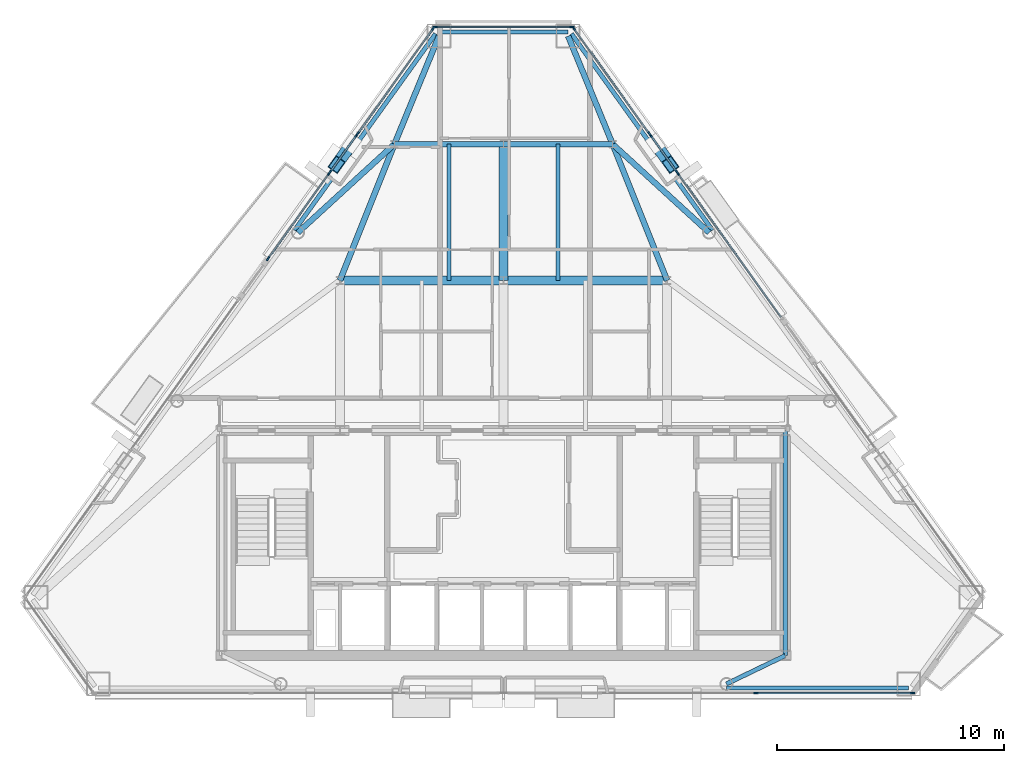
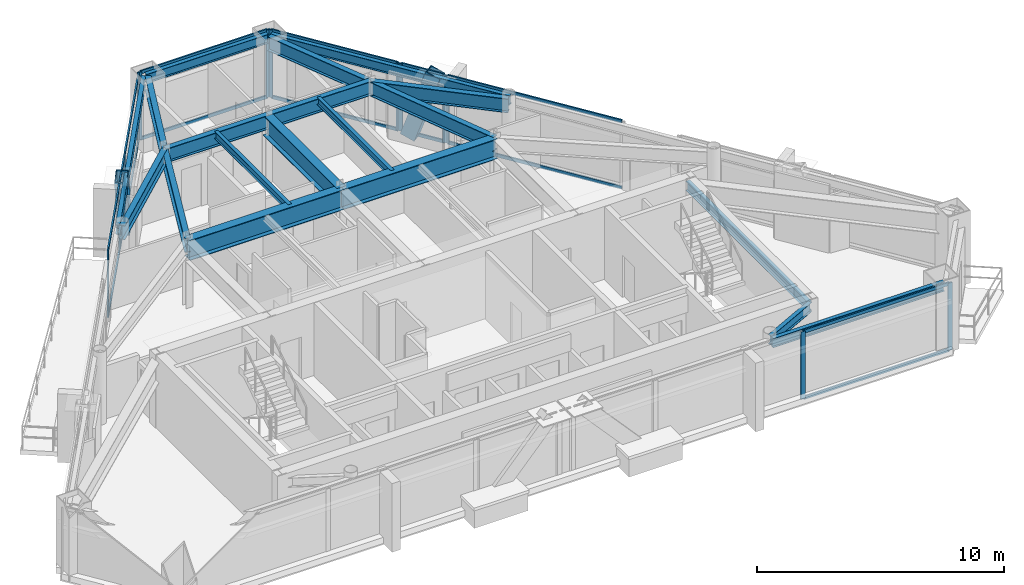
# One storey, part 4 of 12: 33 members, 19 beams, 8 elements without a shape of their own.
"""IFC4 building model written with IfcOpenShell, lengths in metres."""

from ifc_helpers import new_model, si_unit, direction, frame, origin, origin_2d, place, context, subcontext, project, spatial, rectangle, hollow_rectangle, i_section, extrude, material, layer, layer_set, material_profile, profile_set, type_object, element, aggregate, save


model = new_model("IFC4")

# Units and contexts
model_context = context("Model", 3, precision=1e-05, world=origin(), true_north=direction((0.0, 1.0)))
body_context = subcontext(model_context, "Body", "Model", "MODEL_VIEW")
ifc_project = project(units=[si_unit("LENGTHUNIT", "METRE"), si_unit("AREAUNIT", "SQUARE_METRE"), si_unit("VOLUMEUNIT", "CUBIC_METRE"), si_unit("PLANEANGLEUNIT", "RADIAN"), si_unit("MASSUNIT", "GRAM", prefix="KILO")], contexts=[model_context])

# Site, building, storey
site_placement = place(None, origin())
site = spatial("IfcSite", under=ifc_project, at=site_placement, CompositionType="ELEMENT")
building_placement = place(site_placement, origin())
building = spatial("IfcBuilding", under=site, at=building_placement, Name="Talgorran Terracotta Tower", CompositionType="ELEMENT")
storey_placement = place(building_placement, frame((0.0, 0.0, 221.699951171875)))
storey = spatial("IfcBuildingStorey", under=building, at=storey_placement, Name="L58", CompositionType="ELEMENT", Elevation=221.699951171875)

# Beams
ifc_material_1 = material(Name="Steel Grade 350 (350L0)", Category="steel")
ifc_material_profile_1 = material_profile(ifc_material_1, i_section(OverallWidth=0.39990234375, OverallDepth=1.0, WebThickness=0.01611328125, FlangeThickness=0.031005859375, at=origin_2d()), Name="1000WB296")
ifc_profile_set_1 = profile_set([ifc_material_profile_1], Name="Steel Grade 350 (350L0)")
beam_type_1 = type_object("IfcBeamType", Name="BM_1000WB296", PredefinedType="BEAM", material=ifc_profile_set_1)
for number, where, z_axis, x_axis, name in (
    (1, (-7.199951171875, 2.39990234375, 2.844970703125), (1.0, 0.0, 0.0), (0.0, 1.0, 0.0), "L58 Floor Girder G04"),
    (2, (0.0, 2.39990234375, 2.844970703125), (1.0, 0.0, 0.0), (0.0, 1.0, 0.0), "L58 Floor Girder G05"),
):
    element("IfcBeam", number, at=place(storey_placement, frame(where, z_axis=z_axis, x_axis=x_axis)), inside=storey, type_object=beam_type_1, Name=name, PredefinedType="BEAM", context=body_context, shape_type="SweptSolid", body=[
        extrude(i_section(OverallWidth=0.39990234375, OverallDepth=1.0, WebThickness=0.01611328125, FlangeThickness=0.031005859375, at=origin_2d()), origin(), (0.0, 0.0, 1.0), 7.199951171875),
    ])
beam_1_placement = place(storey_placement, frame((0.0, 2.39990234375, 2.844970703125), z_axis=(0.0, 1.0, 0.0), x_axis=(-1.0, 0.0, 0.0)))
element("IfcBeam", 3, at=beam_1_placement, inside=storey, type_object=beam_type_1, Name="L58 Floor Girder G09", PredefinedType="BEAM", context=body_context, shape_type="SweptSolid", body=[
    extrude(i_section(OverallWidth=0.39990234375, OverallDepth=1.0, WebThickness=0.01611328125, FlangeThickness=0.031005859375, at=origin_2d()), origin(), (0.0, 0.0, 1.0), 6.0),
])
ifc_material_2 = material(Name="Steel S355 (300PLUS)", Category="steel")
ifc_material_profile_2 = material_profile(ifc_material_2, i_section(OverallWidth=0.25, OverallDepth=0.699951171875, WebThickness=0.011962890625, FlangeThickness=0.02392578125, at=origin_2d()), Name="700WB150")
ifc_profile_set_2 = profile_set([ifc_material_profile_2], Name="Steel S355 (300PLUS)")
beam_type_2 = type_object("IfcBeamType", Name="BM_700WB150", PredefinedType="BEAM", material=ifc_profile_set_2)
for number, where, z_axis, x_axis, name in (
    (4, (-7.199951171875, 2.39990234375, 2.9951171875), (0.371377648723, 0.928481901832, 0.0), (-0.928481901832, 0.371377648723, 0.0), "L58 Floor Girder G08"),
    (5, (7.199951171875, 2.39990234375, 2.9951171875), (-0.371377648723, 0.928481901832, 0.0), (-0.928481901832, -0.371377648723, 0.0), "L58 Floor Girder G10"),
):
    element("IfcBeam", number, at=place(storey_placement, frame(where, z_axis=z_axis, x_axis=x_axis)), inside=storey, type_object=beam_type_2, Name=name, PredefinedType="BEAM", context=body_context, shape_type="SweptSolid", body=[
        extrude(i_section(OverallWidth=0.25, OverallDepth=0.699951171875, WebThickness=0.011962890625, FlangeThickness=0.02392578125, at=origin_2d()), origin(), (0.0, 0.0, 1.0), 6.462158203125),
    ])
for number, where, z_axis, x_axis, name in (
    (6, (-4.800048828125, 8.39990234375, 2.9951171875), (1.0, 0.0, 0.0), (0.0, 1.0, 0.0), "L58 Floor Girder G11"),
    (7, (0.0, 8.39990234375, 2.9951171875), (1.0, 0.0, 0.0), (0.0, 1.0, 0.0), "L58 Floor Girder G12"),
):
    element("IfcBeam", number, at=place(storey_placement, frame(where, z_axis=z_axis, x_axis=x_axis)), inside=storey, type_object=beam_type_2, Name=name, PredefinedType="BEAM", context=body_context, shape_type="SweptSolid", body=[
        extrude(i_section(OverallWidth=0.25, OverallDepth=0.699951171875, WebThickness=0.011962890625, FlangeThickness=0.02392578125, at=origin_2d()), origin(), (0.0, 0.0, 1.0), 4.800048828125),
    ])
for number, where, z_axis, x_axis, name in (
    (8, (-4.800048828125, 8.39990234375, 2.9951171875), (-0.737419827565, -0.675434673313, 0.0), (0.675434673313, -0.737419827565, 0.0), "L58 Floor Girder G13"),
    (9, (4.800048828125, 8.39990234375, 2.9951171875), (0.737419827565, -0.675434673313, 0.0), (0.675434673313, 0.737419827565, 0.0), "L58 Floor Girder G14"),
):
    element("IfcBeam", number, at=place(storey_placement, frame(where, z_axis=z_axis, x_axis=x_axis)), inside=storey, type_object=beam_type_2, Name=name, PredefinedType="BEAM", context=body_context, shape_type="SweptSolid", body=[
        extrude(i_section(OverallWidth=0.25, OverallDepth=0.699951171875, WebThickness=0.011962890625, FlangeThickness=0.02392578125, at=origin_2d()), origin(), (0.0, 0.0, 1.0), 5.75830078125),
    ])
for number, where, z_axis, x_axis, name in (
    (10, (-4.800048828125, 8.39990234375, 2.9951171875), (0.380723528032, 0.924688918071, 0.0), (-0.924688918071, 0.380723528032, 0.0), "L58 Floor Girder G15"),
    (11, (4.800048828125, 8.39990234375, 2.9951171875), (-0.380723528032, 0.924688918071, 0.0), (-0.924688918071, -0.380723528032, 0.0), "L58 Floor Girder G16"),
):
    element("IfcBeam", number, at=place(storey_placement, frame(where, z_axis=z_axis, x_axis=x_axis)), inside=storey, type_object=beam_type_2, Name=name, PredefinedType="BEAM", context=body_context, shape_type="SweptSolid", body=[
        extrude(i_section(OverallWidth=0.25, OverallDepth=0.699951171875, WebThickness=0.011962890625, FlangeThickness=0.02392578125, at=origin_2d()), origin(), (0.0, 0.0, 1.0), 5.140380859375),
    ])
ifc_material_profile_3 = material_profile(ifc_material_2, i_section(OverallWidth=0.17138671875, OverallDepth=0.355712890625, WebThickness=0.00732421875, FlangeThickness=0.011474609375, at=origin_2d()), Name="360UB50.7")
ifc_profile_set_3 = profile_set([ifc_material_profile_3], Name="Steel S355 (300PLUS)")
beam_type_3 = type_object("IfcBeamType", Name="BM_JS_360UB51", PredefinedType="JOIST", material=ifc_profile_set_3)
for number, where, z_axis, x_axis, name in (
    (12, (-2.39990234375, 2.39990234375, 3.167236328125), (0.0, 1.0, 0.0), (-1.0, 0.0, 0.0), "L58 Secondary Joist J03"),
    (13, (2.39990234375, 2.39990234375, 3.167236328125), (0.0, 1.0, 0.0), (-1.0, 0.0, 0.0), "L58 Secondary Joist J04"),
):
    element("IfcBeam", number, at=place(storey_placement, frame(where, z_axis=z_axis, x_axis=x_axis)), inside=storey, type_object=beam_type_3, Name=name, PredefinedType="JOIST", context=body_context, shape_type="SweptSolid", body=[
        extrude(i_section(OverallWidth=0.17138671875, OverallDepth=0.355712890625, WebThickness=0.00732421875, FlangeThickness=0.011474609375, at=origin_2d()), origin(), (0.0, 0.0, 1.0), 6.0),
    ])
ifc_material_profile_4 = material_profile(ifc_material_2, i_section(OverallWidth=0.18994140625, OverallDepth=0.45703125, WebThickness=0.009033203125, FlangeThickness=0.014404296875, at=origin_2d()), Name="460UB74.6")
ifc_profile_set_4 = profile_set([ifc_material_profile_4], Name="Steel S355 (300PLUS)")
beam_type_4 = type_object("IfcBeamType", Name="BM_SP_460UB74", PredefinedType="SPANDREL", material=ifc_profile_set_4)
beam_2_placement = place(storey_placement, frame((9.806640625, -15.5322265625, 3.116455078125), z_axis=(1.0, 0.0, 0.0), x_axis=(0.0, 1.0, 0.0)))
element("IfcBeam", 14, at=beam_2_placement, inside=storey, type_object=beam_type_4, Name="L58 Perimeter Spandrel Beam FC2-MC3", PredefinedType="SPANDREL", context=body_context, shape_type="SweptSolid", body=[
    extrude(i_section(OverallWidth=0.18994140625, OverallDepth=0.45703125, WebThickness=0.009033203125, FlangeThickness=0.014404296875, at=origin_2d()), origin(), (0.0, 0.0, 1.0), 8.0234375),
])
beam_3_placement = place(storey_placement, frame((9.192626953125, 4.615478515625, 3.116455078125), z_axis=(-0.583110094649, 0.812393142216, 0.0), x_axis=(-0.812393142216, -0.583110094649, 0.0)))
element("IfcBeam", 15, at=beam_3_placement, inside=storey, type_object=beam_type_4, Name="L58 Perimeter Spandrel Beam FC4-MC5", PredefinedType="SPANDREL", context=body_context, shape_type="SweptSolid", body=[
    extrude(i_section(OverallWidth=0.18994140625, OverallDepth=0.45703125, WebThickness=0.009033203125, FlangeThickness=0.014404296875, at=origin_2d()), origin(), (0.0, 0.0, 1.0), 10.638427734375),
])
beam_4_placement = place(storey_placement, frame((2.843017578125, 13.3330078125, 3.116455078125), z_axis=(-1.0, 0.0, 0.0), x_axis=(0.0, -1.0, 0.0)))
element("IfcBeam", 16, at=beam_4_placement, inside=storey, type_object=beam_type_4, Name="L58 Perimeter Spandrel Beam MC5-MC6", PredefinedType="SPANDREL", context=body_context, shape_type="SweptSolid", body=[
    extrude(i_section(OverallWidth=0.18994140625, OverallDepth=0.45703125, WebThickness=0.009033203125, FlangeThickness=0.014404296875, at=origin_2d()), origin(), (0.0, 0.0, 1.0), 5.68603515625),
])
beam_5_placement = place(storey_placement, frame((-2.9892578125, 13.258056640625, 3.116455078125), z_axis=(-0.583110094649, -0.812393142216, 0.0), x_axis=(0.812393142216, -0.583110094649, 0.0)))
element("IfcBeam", 17, at=beam_5_placement, inside=storey, type_object=beam_type_4, Name="L58 Perimeter Spandrel Beam MC6-FC5", PredefinedType="SPANDREL", context=body_context, shape_type="SweptSolid", body=[
    extrude(i_section(OverallWidth=0.18994140625, OverallDepth=0.45703125, WebThickness=0.009033203125, FlangeThickness=0.014404296875, at=origin_2d()), origin(), (0.0, 0.0, 1.0), 10.638427734375),
])
beam_6_placement = place(storey_placement, frame((12.39990234375, -14.10009765625, 3.116455078125), z_axis=(-0.900513862936, -0.434827302109, 0.0), x_axis=(0.434827302109, -0.900513862936, 0.0)))
element("IfcBeam", 18, at=beam_6_placement, inside=storey, type_object=beam_type_4, Name="L58 South-East Core Tie Beam", PredefinedType="SPANDREL", context=body_context, shape_type="SweptSolid", body=[
    extrude(i_section(OverallWidth=0.18994140625, OverallDepth=0.45703125, WebThickness=0.009033203125, FlangeThickness=0.014404296875, at=origin_2d()), origin(), (0.0, 0.0, 1.0), 2.879638671875),
])
beam_7_placement = place(storey_placement, frame((12.39990234375, -14.10009765625, 3.116455078125), z_axis=(0.0, 1.0, 0.0), x_axis=(-1.0, 0.0, 0.0)))
element("IfcBeam", 19, at=beam_7_placement, inside=storey, type_object=beam_type_4, Name="L58 Core Frame Beam CFE", PredefinedType="SPANDREL", context=body_context, shape_type="SweptSolid", body=[
    extrude(i_section(OverallWidth=0.18994140625, OverallDepth=0.45703125, WebThickness=0.009033203125, FlangeThickness=0.014404296875, at=origin_2d()), origin(), (0.0, 0.0, 1.0), 9.900146484375),
])

# Members
ifc_material_profile_5 = material_profile(ifc_material_1, hollow_rectangle(XDim=0.52001953125, YDim=0.659912109375, WallThickness=0.034912109375, at=origin_2d()), Name="WBOX660X520X35")
ifc_profile_set_5 = profile_set([ifc_material_profile_5], Name="Steel Grade 350 (350L0)")
member_type_1 = type_object("IfcMemberType", Name="MB_MEGA_660", PredefinedType="BRACE", material=ifc_profile_set_5)
for number, where, z_axis, x_axis, name in (
    (20, (6.67822265625, 8.42724609375, -0.02490234375), (0.185751866834, -0.258757462936, 0.947913930345), (0.812357527151, 0.583159710613, 0.0), "L58 Exterior Face Mega-Brace MB-3 (NEU)"),
    (21, (-6.67822265625, 8.42724609375, -0.02490234375), (-0.185751866834, -0.258757462936, 0.947913930345), (0.812357527151, -0.583159710613, 0.0), "L58 Exterior Face Mega-Brace MB-3 (NWU)"),
):
    element("IfcMember", number, at=place(storey_placement, frame(where, z_axis=z_axis, x_axis=x_axis)), inside=storey, type_object=member_type_1, Name=name, PredefinedType="BRACE", context=body_context, shape_type="SweptSolid", body=[
        extrude(hollow_rectangle(XDim=0.52001953125, YDim=0.659912109375, WallThickness=0.034912109375, at=origin_2d()), origin(), (0.0, 0.0, 1.0), 3.58154296875),
    ])

# Curtain wall, members
ifc_material_3 = material(Name="High-Wind Unitised Glazing", Category="glass")
ifc_layer = layer(ifc_material_3, 0.2099609375, Name="CW_SYS3_RES_HIGH")
ifc_layer_set = layer_set([ifc_layer], Name="High-Wind Unitised Glazing")
curtain_wall_type = type_object("IfcCurtainWallType", Name="CW_SYS3_RES_HIGH", PredefinedType="NOTDEFINED", material=ifc_layer_set)
curtain_wall_1_placement = place(storey_placement, origin())
curtain_wall_1 = element("IfcCurtainWall", 22, at=curtain_wall_1_placement, inside=storey, type_object=curtain_wall_type, Name="CW-L58-F1E", PredefinedType="NOTDEFINED")
ifc_material_4 = material(Name="Architectural Aluminium 6063-T6", Category="aluminium")
ifc_material_profile_6 = material_profile(ifc_material_4, rectangle(XDim=0.070068359375, YDim=0.199951171875, at=origin_2d()), Name="CWM70X200")
ifc_profile_set_6 = profile_set([ifc_material_profile_6], Name="Architectural Aluminium 6063-T6")
member_type_2 = type_object("IfcMemberType", Name="MUL_70X200", PredefinedType="MULLION", material=ifc_profile_set_6)
member_1_placement = place(storey_placement, frame((11.109130859375, -15.752197265625, 0.0), z_axis=(0.0, 0.0, 1.0), x_axis=(0.0, 1.0, 0.0)))
member_1 = element("IfcMember", 23, at=member_1_placement, type_object=member_type_2, Name="CW-L58-1E mullion 2", PredefinedType="MULLION", context=body_context, shape_type="SweptSolid", body=[
    extrude(rectangle(XDim=0.070068359375, YDim=0.199951171875, at=origin_2d()), origin(), (0.0, 0.0, 1.0), 3.344970703125),
])
member_2_placement = place(storey_placement, frame((18.00048828125, -15.752197265625, 0.0), z_axis=(0.0, 0.0, 1.0), x_axis=(0.0, 1.0, 0.0)))
member_2 = element("IfcMember", 24, at=member_2_placement, type_object=member_type_2, Name="CW-L58-1E mullion 3", PredefinedType="MULLION", context=body_context, shape_type="SweptSolid", body=[
    extrude(rectangle(XDim=0.070068359375, YDim=0.199951171875, at=origin_2d()), origin(), (0.0, 0.0, 1.0), 3.344970703125),
])

# Curtain wall, member
curtain_wall_2_placement = place(storey_placement, origin())
curtain_wall_2 = element("IfcCurtainWall", 25, at=curtain_wall_2_placement, inside=storey, type_object=curtain_wall_type, Name="CW-L58-F41", PredefinedType="NOTDEFINED")
member_3_placement = place(storey_placement, frame((7.669189453125, 7.115234375, 0.0), z_axis=(0.0, 0.0, 1.0), x_axis=(-0.812388436994, -0.583116649942, 0.0)))
member_3 = element("IfcMember", 26, at=member_3_placement, type_object=member_type_2, Name="CW-L58-41 mullion 2", PredefinedType="MULLION", context=body_context, shape_type="SweptSolid", body=[
    extrude(rectangle(XDim=0.070068359375, YDim=0.199951171875, at=origin_2d()), origin(), (0.0, 0.0, 1.0), 3.344970703125),
])

# Curtain wall, members
curtain_wall_3_placement = place(storey_placement, origin())
curtain_wall_3 = element("IfcCurtainWall", 27, at=curtain_wall_3_placement, inside=storey, type_object=curtain_wall_type, Name="CW-L58-F41B", PredefinedType="NOTDEFINED")
member_4_placement = place(storey_placement, frame((7.62255859375, 7.18017578125, 0.0), z_axis=(0.0, 0.0, 1.0), x_axis=(-0.812387522114, -0.583117924535, 0.0)))
member_4 = element("IfcMember", 28, at=member_4_placement, type_object=member_type_2, Name="CW-L58-41B mullion 1", PredefinedType="MULLION", context=body_context, shape_type="SweptSolid", body=[
    extrude(rectangle(XDim=0.070068359375, YDim=0.199951171875, at=origin_2d()), origin(), (0.0, 0.0, 1.0), 3.344970703125),
])
member_5_placement = place(storey_placement, frame((6.464111328125, 8.7939453125, 0.0), z_axis=(0.0, 0.0, 1.0), x_axis=(-0.812387522114, -0.583117924535, 0.0)))
member_5 = element("IfcMember", 29, at=member_5_placement, type_object=member_type_2, Name="CW-L58-41B mullion 2", PredefinedType="MULLION", context=body_context, shape_type="SweptSolid", body=[
    extrude(rectangle(XDim=0.070068359375, YDim=0.199951171875, at=origin_2d()), origin(), (0.0, 0.0, 1.0), 3.344970703125),
])

curtain_wall_4_placement = place(storey_placement, origin())
curtain_wall_4 = element("IfcCurtainWall", 30, at=curtain_wall_4_placement, inside=storey, type_object=curtain_wall_type, Name="CW-L58-F41C", PredefinedType="NOTDEFINED")
member_6_placement = place(storey_placement, frame((6.41748046875, 8.859130859375, 0.0), z_axis=(0.0, 0.0, 1.0), x_axis=(-0.812390010809, -0.583114457322, 0.0)))
member_6 = element("IfcMember", 31, at=member_6_placement, type_object=member_type_2, Name="CW-L58-41C mullion 1", PredefinedType="MULLION", context=body_context, shape_type="SweptSolid", body=[
    extrude(rectangle(XDim=0.070068359375, YDim=0.199951171875, at=origin_2d()), origin(), (0.0, 0.0, 1.0), 3.344970703125),
])
member_7_placement = place(storey_placement, frame((3.092041015625, 13.4921875, 0.0), z_axis=(0.0, 0.0, 1.0), x_axis=(-0.812390010809, -0.583114457322, 0.0)))
member_7 = element("IfcMember", 32, at=member_7_placement, type_object=member_type_2, Name="CW-L58-41C mullion 2", PredefinedType="MULLION", context=body_context, shape_type="SweptSolid", body=[
    extrude(rectangle(XDim=0.070068359375, YDim=0.199951171875, at=origin_2d()), origin(), (0.0, 0.0, 1.0), 3.344970703125),
])

curtain_wall_5_placement = place(storey_placement, origin())
curtain_wall_5 = element("IfcCurtainWall", 33, at=curtain_wall_5_placement, inside=storey, type_object=curtain_wall_type, Name="CW-L58-F4", PredefinedType="NOTDEFINED")
member_8_placement = place(storey_placement, frame((3.01318359375, 13.552978515625, 0.0), z_axis=(0.0, 0.0, 1.0), x_axis=(0.0, -1.0, 0.0)))
member_8 = element("IfcMember", 34, at=member_8_placement, type_object=member_type_2, Name="CW-L58-4 mullion 1", PredefinedType="MULLION", context=body_context, shape_type="SweptSolid", body=[
    extrude(rectangle(XDim=0.070068359375, YDim=0.199951171875, at=origin_2d()), origin(), (0.0, 0.0, 1.0), 3.344970703125),
])
member_9_placement = place(storey_placement, frame((-3.01318359375, 13.552978515625, 0.0), z_axis=(0.0, 0.0, 1.0), x_axis=(0.0, -1.0, 0.0)))
member_9 = element("IfcMember", 35, at=member_9_placement, type_object=member_type_2, Name="CW-L58-4 mullion 2", PredefinedType="MULLION", context=body_context, shape_type="SweptSolid", body=[
    extrude(rectangle(XDim=0.070068359375, YDim=0.199951171875, at=origin_2d()), origin(), (0.0, 0.0, 1.0), 3.344970703125),
])

curtain_wall_6_placement = place(storey_placement, origin())
curtain_wall_6 = element("IfcCurtainWall", 36, at=curtain_wall_6_placement, inside=storey, type_object=curtain_wall_type, Name="CW-L58-F60", PredefinedType="NOTDEFINED")
member_10_placement = place(storey_placement, frame((-3.092041015625, 13.4921875, 0.0), z_axis=(0.0, 0.0, 1.0), x_axis=(0.812390010809, -0.583114457322, 0.0)))
member_10 = element("IfcMember", 37, at=member_10_placement, type_object=member_type_2, Name="CW-L58-60 mullion 1", PredefinedType="MULLION", context=body_context, shape_type="SweptSolid", body=[
    extrude(rectangle(XDim=0.070068359375, YDim=0.199951171875, at=origin_2d()), origin(), (0.0, 0.0, 1.0), 3.344970703125),
])
member_11_placement = place(storey_placement, frame((-6.41748046875, 8.859130859375, 0.0), z_axis=(0.0, 0.0, 1.0), x_axis=(0.812390010809, -0.583114457322, 0.0)))
member_11 = element("IfcMember", 38, at=member_11_placement, type_object=member_type_2, Name="CW-L58-60 mullion 2", PredefinedType="MULLION", context=body_context, shape_type="SweptSolid", body=[
    extrude(rectangle(XDim=0.070068359375, YDim=0.199951171875, at=origin_2d()), origin(), (0.0, 0.0, 1.0), 3.344970703125),
])

curtain_wall_7_placement = place(storey_placement, origin())
curtain_wall_7 = element("IfcCurtainWall", 39, at=curtain_wall_7_placement, inside=storey, type_object=curtain_wall_type, Name="CW-L58-F60B", PredefinedType="NOTDEFINED")
member_12_placement = place(storey_placement, frame((-6.464111328125, 8.7939453125, 0.0), z_axis=(0.0, 0.0, 1.0), x_axis=(0.812387522114, -0.583117924535, 0.0)))
member_12 = element("IfcMember", 40, at=member_12_placement, type_object=member_type_2, Name="CW-L58-60B mullion 1", PredefinedType="MULLION", context=body_context, shape_type="SweptSolid", body=[
    extrude(rectangle(XDim=0.070068359375, YDim=0.199951171875, at=origin_2d()), origin(), (0.0, 0.0, 1.0), 3.344970703125),
])
member_13_placement = place(storey_placement, frame((-7.62255859375, 7.18017578125, 0.0), z_axis=(0.0, 0.0, 1.0), x_axis=(0.812387522114, -0.583117924535, 0.0)))
member_13 = element("IfcMember", 41, at=member_13_placement, type_object=member_type_2, Name="CW-L58-60B mullion 2", PredefinedType="MULLION", context=body_context, shape_type="SweptSolid", body=[
    extrude(rectangle(XDim=0.070068359375, YDim=0.199951171875, at=origin_2d()), origin(), (0.0, 0.0, 1.0), 3.344970703125),
])

curtain_wall_8_placement = place(storey_placement, origin())
curtain_wall_8 = element("IfcCurtainWall", 42, at=curtain_wall_8_placement, inside=storey, type_object=curtain_wall_type, Name="CW-L58-F60C", PredefinedType="NOTDEFINED")
member_14_placement = place(storey_placement, frame((-7.669189453125, 7.115234375, 0.0), z_axis=(0.0, 0.0, 1.0), x_axis=(0.812388732949, -0.583116237621, 0.0)))
member_14 = element("IfcMember", 43, at=member_14_placement, type_object=member_type_2, Name="CW-L58-60C mullion 1", PredefinedType="MULLION", context=body_context, shape_type="SweptSolid", body=[
    extrude(rectangle(XDim=0.070068359375, YDim=0.199951171875, at=origin_2d()), origin(), (0.0, 0.0, 1.0), 3.344970703125),
])
member_15_placement = place(storey_placement, frame((-10.36328125, 3.361572265625, 0.0), z_axis=(0.0, 0.0, 1.0), x_axis=(0.812388732949, -0.583116237621, 0.0)))
member_15 = element("IfcMember", 44, at=member_15_placement, type_object=member_type_2, Name="CW-L58-60C mullion 2", PredefinedType="MULLION", context=body_context, shape_type="SweptSolid", body=[
    extrude(rectangle(XDim=0.070068359375, YDim=0.199951171875, at=origin_2d()), origin(), (0.0, 0.0, 1.0), 3.344970703125),
])

# Member
ifc_material_profile_7 = material_profile(ifc_material_4, rectangle(XDim=0.070068359375, YDim=0.159912109375, at=origin_2d()), Name="CWT70X160")
ifc_profile_set_7 = profile_set([ifc_material_profile_7], Name="Architectural Aluminium 6063-T6")
member_type_3 = type_object("IfcMemberType", Name="TRN_70X160", PredefinedType="USERDEFINED", material=ifc_profile_set_7)
member_16_placement = place(storey_placement, frame((11.144287109375, -15.752197265625, 0.03515625), z_axis=(1.0, 0.0, 0.0), x_axis=(0.0, 1.0, 0.0)))
member_16 = element("IfcMember", 45, at=member_16_placement, type_object=member_type_3, Name="CW-L58-1E transom 2.1", ObjectType="TRANSOM", PredefinedType="USERDEFINED", context=body_context, shape_type="SweptSolid", body=[
    extrude(rectangle(XDim=0.070068359375, YDim=0.159912109375, at=origin_2d()), origin(), (0.0, 0.0, 1.0), 6.821044921875),
])

member_17_placement = place(storey_placement, frame((11.144287109375, -15.752197265625, 3.31005859375), z_axis=(1.0, 0.0, 0.0), x_axis=(0.0, 1.0, 0.0)))
member_17 = element("IfcMember", 46, at=member_17_placement, type_object=member_type_3, Name="CW-L58-1E transom 2.2", ObjectType="TRANSOM", PredefinedType="USERDEFINED", context=body_context, shape_type="SweptSolid", body=[
    extrude(rectangle(XDim=0.070068359375, YDim=0.159912109375, at=origin_2d()), origin(), (0.0, 0.0, 1.0), 6.821044921875),
])

aggregate(curtain_wall_1, [member_1, member_2, member_16, member_17])

member_18_placement = place(storey_placement, frame((12.20556640625, 0.795166015625, 0.03515625), z_axis=(-0.58313317427, 0.812376575897, 0.0), x_axis=(-0.812376575897, -0.58313317427, 0.0)))
member_18 = element("IfcMember", 47, at=member_18_placement, type_object=member_type_3, Name="CW-L58-41 transom 1.1", ObjectType="TRANSOM", PredefinedType="USERDEFINED", context=body_context, shape_type="SweptSolid", body=[
    extrude(rectangle(XDim=0.070068359375, YDim=0.159912109375, at=origin_2d()), origin(), (0.0, 0.0, 1.0), 7.74462890625),
])

member_19_placement = place(storey_placement, frame((12.20556640625, 0.795166015625, 3.31005859375), z_axis=(-0.58313317427, 0.812376575897, 0.0), x_axis=(-0.812376575897, -0.58313317427, 0.0)))
member_19 = element("IfcMember", 48, at=member_19_placement, type_object=member_type_3, Name="CW-L58-41 transom 1.2", ObjectType="TRANSOM", PredefinedType="USERDEFINED", context=body_context, shape_type="SweptSolid", body=[
    extrude(rectangle(XDim=0.070068359375, YDim=0.159912109375, at=origin_2d()), origin(), (0.0, 0.0, 1.0), 7.74462890625),
])

aggregate(curtain_wall_2, [member_3, member_18, member_19])

member_20_placement = place(storey_placement, frame((7.60205078125, 7.208740234375, 0.03515625), z_axis=(-0.58309253524, 0.812405745516, 0.0), x_axis=(-0.812405745516, -0.58309253524, 0.0)))
member_20 = element("IfcMember", 49, at=member_20_placement, type_object=member_type_3, Name="CW-L58-41B transom 1.1", ObjectType="TRANSOM", PredefinedType="USERDEFINED", context=body_context, shape_type="SweptSolid", body=[
    extrude(rectangle(XDim=0.070068359375, YDim=0.159912109375, at=origin_2d()), origin(), (0.0, 0.0, 1.0), 1.91650390625),
])

member_21_placement = place(storey_placement, frame((7.60205078125, 7.208740234375, 3.31005859375), z_axis=(-0.58309253524, 0.812405745516, 0.0), x_axis=(-0.812405745516, -0.58309253524, 0.0)))
member_21 = element("IfcMember", 50, at=member_21_placement, type_object=member_type_3, Name="CW-L58-41B transom 1.2", ObjectType="TRANSOM", PredefinedType="USERDEFINED", context=body_context, shape_type="SweptSolid", body=[
    extrude(rectangle(XDim=0.070068359375, YDim=0.159912109375, at=origin_2d()), origin(), (0.0, 0.0, 1.0), 1.91650390625),
])

aggregate(curtain_wall_3, [member_4, member_5, member_20, member_21])

member_22_placement = place(storey_placement, frame((6.39697265625, 8.887451171875, 0.03515625), z_axis=(-0.583114380472, 0.81239006597, 0.0), x_axis=(-0.81239006597, -0.583114380472, 0.0)))
member_22 = element("IfcMember", 51, at=member_22_placement, type_object=member_type_3, Name="CW-L58-41C transom 1.1", ObjectType="TRANSOM", PredefinedType="USERDEFINED", context=body_context, shape_type="SweptSolid", body=[
    extrude(rectangle(XDim=0.070068359375, YDim=0.159912109375, at=origin_2d()), origin(), (0.0, 0.0, 1.0), 5.633056640625),
])

member_23_placement = place(storey_placement, frame((6.39697265625, 8.887451171875, 3.31005859375), z_axis=(-0.583114380472, 0.81239006597, 0.0), x_axis=(-0.81239006597, -0.583114380472, 0.0)))
member_23 = element("IfcMember", 52, at=member_23_placement, type_object=member_type_3, Name="CW-L58-41C transom 1.2", ObjectType="TRANSOM", PredefinedType="USERDEFINED", context=body_context, shape_type="SweptSolid", body=[
    extrude(rectangle(XDim=0.070068359375, YDim=0.159912109375, at=origin_2d()), origin(), (0.0, 0.0, 1.0), 5.633056640625),
])

aggregate(curtain_wall_4, [member_6, member_7, member_22, member_23])

member_24_placement = place(storey_placement, frame((2.978271484375, 13.552978515625, 0.03515625), z_axis=(-1.0, 0.0, 0.0), x_axis=(0.0, -1.0, 0.0)))
member_24 = element("IfcMember", 53, at=member_24_placement, type_object=member_type_3, Name="CW-L58-4 transom 1.1", ObjectType="TRANSOM", PredefinedType="USERDEFINED", context=body_context, shape_type="SweptSolid", body=[
    extrude(rectangle(XDim=0.070068359375, YDim=0.159912109375, at=origin_2d()), origin(), (0.0, 0.0, 1.0), 5.95654296875),
])

member_25_placement = place(storey_placement, frame((2.978271484375, 13.552978515625, 3.31005859375), z_axis=(-1.0, 0.0, 0.0), x_axis=(0.0, -1.0, 0.0)))
member_25 = element("IfcMember", 54, at=member_25_placement, type_object=member_type_3, Name="CW-L58-4 transom 1.2", ObjectType="TRANSOM", PredefinedType="USERDEFINED", context=body_context, shape_type="SweptSolid", body=[
    extrude(rectangle(XDim=0.070068359375, YDim=0.159912109375, at=origin_2d()), origin(), (0.0, 0.0, 1.0), 5.95654296875),
])

aggregate(curtain_wall_5, [member_8, member_9, member_24, member_25])

member_26_placement = place(storey_placement, frame((-3.1123046875, 13.463623046875, 0.03515625), z_axis=(-0.583114380472, -0.81239006597, 0.0), x_axis=(0.81239006597, -0.583114380472, 0.0)))
member_26 = element("IfcMember", 55, at=member_26_placement, type_object=member_type_3, Name="CW-L58-60 transom 1.1", ObjectType="TRANSOM", PredefinedType="USERDEFINED", context=body_context, shape_type="SweptSolid", body=[
    extrude(rectangle(XDim=0.070068359375, YDim=0.159912109375, at=origin_2d()), origin(), (0.0, 0.0, 1.0), 5.633056640625),
])

member_27_placement = place(storey_placement, frame((-3.1123046875, 13.463623046875, 3.31005859375), z_axis=(-0.583114380472, -0.81239006597, 0.0), x_axis=(0.81239006597, -0.583114380472, 0.0)))
member_27 = element("IfcMember", 56, at=member_27_placement, type_object=member_type_3, Name="CW-L58-60 transom 1.2", ObjectType="TRANSOM", PredefinedType="USERDEFINED", context=body_context, shape_type="SweptSolid", body=[
    extrude(rectangle(XDim=0.070068359375, YDim=0.159912109375, at=origin_2d()), origin(), (0.0, 0.0, 1.0), 5.633056640625),
])

aggregate(curtain_wall_6, [member_10, member_11, member_26, member_27])

member_28_placement = place(storey_placement, frame((-6.484619140625, 8.765625, 0.03515625), z_axis=(-0.58309253524, -0.812405745516, 0.0), x_axis=(0.812405745516, -0.58309253524, 0.0)))
member_28 = element("IfcMember", 57, at=member_28_placement, type_object=member_type_3, Name="CW-L58-60B transom 1.1", ObjectType="TRANSOM", PredefinedType="USERDEFINED", context=body_context, shape_type="SweptSolid", body=[
    extrude(rectangle(XDim=0.070068359375, YDim=0.159912109375, at=origin_2d()), origin(), (0.0, 0.0, 1.0), 1.91650390625),
])

member_29_placement = place(storey_placement, frame((-6.484619140625, 8.765625, 3.31005859375), z_axis=(-0.58309253524, -0.812405745516, 0.0), x_axis=(0.812405745516, -0.58309253524, 0.0)))
member_29 = element("IfcMember", 58, at=member_29_placement, type_object=member_type_3, Name="CW-L58-60B transom 1.2", ObjectType="TRANSOM", PredefinedType="USERDEFINED", context=body_context, shape_type="SweptSolid", body=[
    extrude(rectangle(XDim=0.070068359375, YDim=0.159912109375, at=origin_2d()), origin(), (0.0, 0.0, 1.0), 1.91650390625),
])

aggregate(curtain_wall_7, [member_12, member_13, member_28, member_29])

member_30_placement = place(storey_placement, frame((-7.689453125, 7.0869140625, 0.03515625), z_axis=(-0.583129621189, -0.812379126327, 0.0), x_axis=(0.812379126327, -0.583129621189, 0.0)))
member_30 = element("IfcMember", 59, at=member_30_placement, type_object=member_type_3, Name="CW-L58-60C transom 1.1", ObjectType="TRANSOM", PredefinedType="USERDEFINED", context=body_context, shape_type="SweptSolid", body=[
    extrude(rectangle(XDim=0.070068359375, YDim=0.159912109375, at=origin_2d()), origin(), (0.0, 0.0, 1.0), 4.550537109375),
])

member_31_placement = place(storey_placement, frame((-7.689453125, 7.0869140625, 3.31005859375), z_axis=(-0.583129621189, -0.812379126327, 0.0), x_axis=(0.812379126327, -0.583129621189, 0.0)))
member_31 = element("IfcMember", 60, at=member_31_placement, type_object=member_type_3, Name="CW-L58-60C transom 1.2", ObjectType="TRANSOM", PredefinedType="USERDEFINED", context=body_context, shape_type="SweptSolid", body=[
    extrude(rectangle(XDim=0.070068359375, YDim=0.159912109375, at=origin_2d()), origin(), (0.0, 0.0, 1.0), 4.550537109375),
])

aggregate(curtain_wall_8, [member_14, member_15, member_30, member_31])

save(model, "model.ifc")
